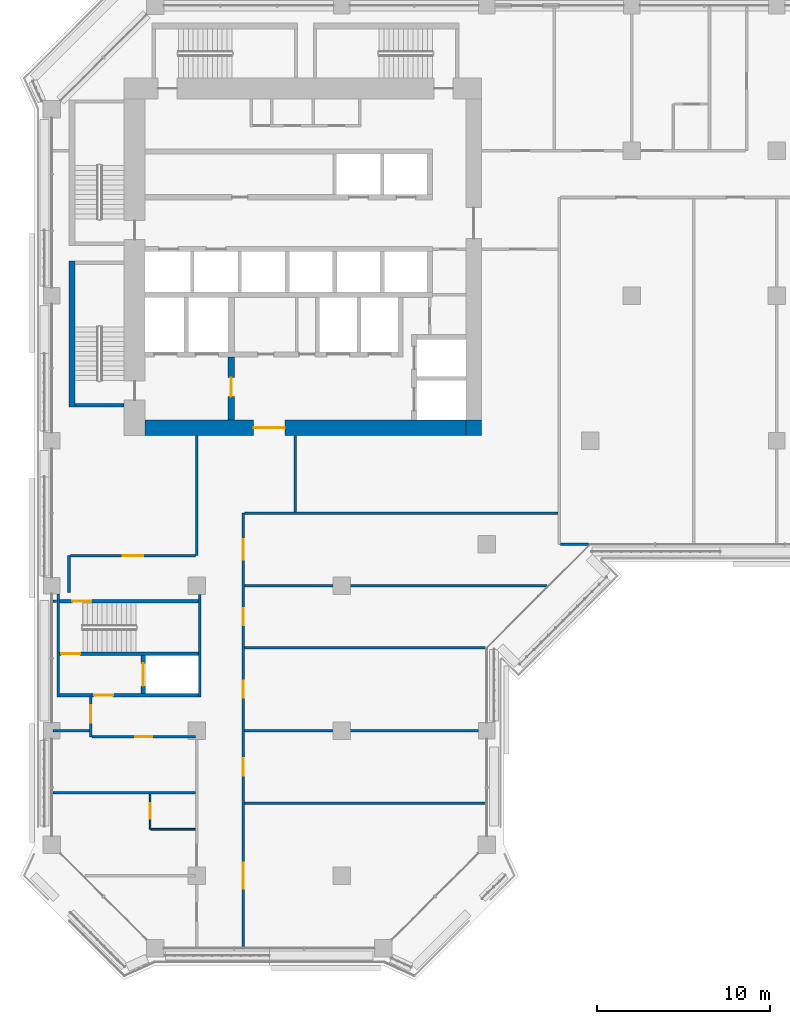
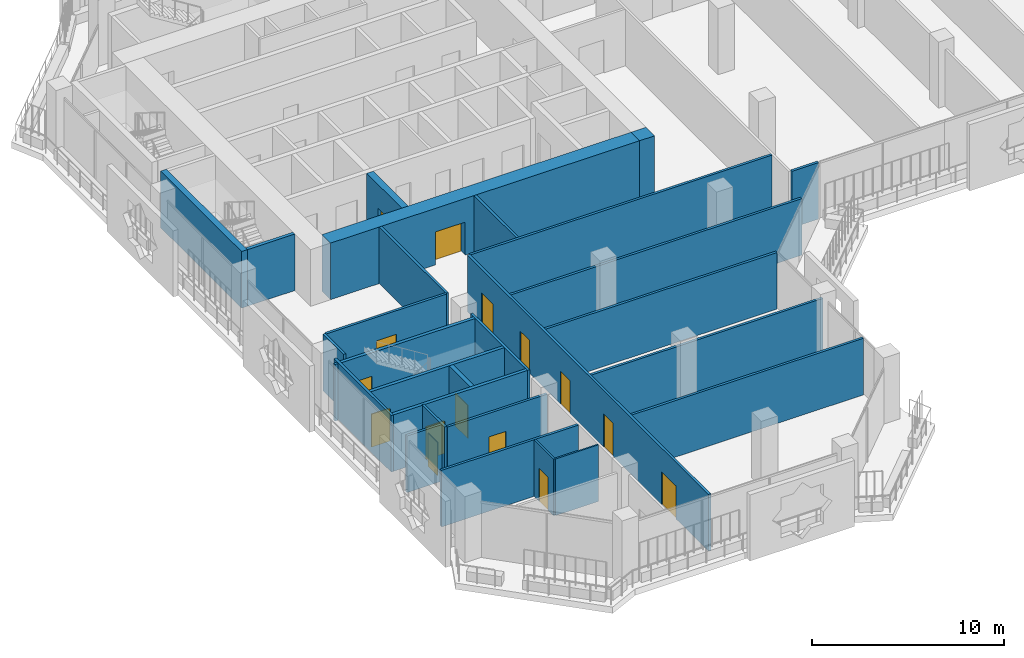
# One storey, part 10 of 22: 29 walls, 15 doors, 15 openings.
"""IFC4 building model written with IfcOpenShell, lengths in metres."""

from ifc_helpers import new_model, si_unit, direction, frame, frame_2d, origin, place, context, subcontext, project, spatial, rectangle, extrude, material, layer, layer_set, type_object, element, fill, save


model = new_model("IFC4")

# Units and contexts
model_context = context("Model", 3, precision=1e-05, world=origin(), true_north=direction((0.0, 1.0)))
body_context = subcontext(model_context, "Body", "Model", "MODEL_VIEW")
ifc_project = project(units=[si_unit("LENGTHUNIT", "METRE"), si_unit("AREAUNIT", "SQUARE_METRE"), si_unit("VOLUMEUNIT", "CUBIC_METRE"), si_unit("PLANEANGLEUNIT", "RADIAN"), si_unit("MASSUNIT", "GRAM", prefix="KILO")], contexts=[model_context])

# Site, building, storey
site_placement = place(None, origin())
site = spatial("IfcSite", under=ifc_project, at=site_placement, CompositionType="ELEMENT")
building_placement = place(site_placement, origin())
building = spatial("IfcBuilding", under=site, at=building_placement, Name="Kawkab Arch Medical Tower", CompositionType="ELEMENT")
storey_placement = place(building_placement, frame((0.0, 0.0, 179.39990234375)))
storey = spatial("IfcBuildingStorey", under=building, at=storey_placement, Name="L41", CompositionType="ELEMENT", Elevation=179.39990234375)

# Wall, opening, door
ifc_material_1 = material(Name="Concrete C55/67", Category="concrete")
ifc_layer_1 = layer(ifc_material_1, 0.89990234375)
ifc_layer_set_1 = layer_set([ifc_layer_1], Name="Concrete C55/67")
wall_type_1 = type_object("IfcWallType", Name="Core ring wall 900 C55/67", PredefinedType="SHEAR", material=ifc_layer_set_1)
wall_1_placement = place(storey_placement, frame((5.39990234375, -24.449951171875, 0.0), z_axis=(0.0, 0.0, 1.0), x_axis=(1.0, 0.0, 0.0)))
wall_1 = element("IfcWall", 1, at=wall_1_placement, inside=storey, type_object=wall_type_1, Name="L41 core wall", PredefinedType="SHEAR", context=body_context, shape_type="SweptSolid", body=[
    extrude(rectangle(XDim=18.60009765625, YDim=0.89990234375, at=frame_2d((9.300048828125, 0.0))), origin(), (0.0, 0.0, 1.0), 3.60009765625),
])
opening_1_placement = place(wall_1_placement, frame((6.300048828125, 0.0, 0.0)))
opening_1 = element("IfcOpeningElement", 2, at=opening_1_placement, cuts=wall_1, Name="Opening PD", PredefinedType="OPENING", context=body_context, shape_type="SweptSolid", body=[
    extrude(rectangle(XDim=1.800048828125, YDim=2.10009765625, at=frame_2d((0.89990234375, 1.050048828125))), frame((0.0, 0.4599609375, 0.0), z_axis=(0.0, -1.0, 0.0), x_axis=(1.0, 0.0, 0.0)), (0.0, 0.0, 1.0), 0.919921875),
])
ifc_material_2 = material(Name="Hollow metal fire door leaf")
door_type_1 = type_object("IfcDoorType", Name="Core entrance doors 1800", OperationType="DOUBLE_DOOR_SINGLE_SWING", PredefinedType="DOOR", material=ifc_material_2)
door_1_placement = place(opening_1_placement, origin())
door_1 = element("IfcDoor", 3, at=door_1_placement, inside=storey, type_object=door_type_1, Name="L41 South entrance doors", OperationType="DOUBLE_DOOR_SINGLE_SWING", OverallHeight=2.10009765625, OverallWidth=1.800048828125, PredefinedType="DOOR", context=body_context, shape_type="SweptSolid", body=[
    extrude(rectangle(XDim=1.800048828125, YDim=2.10009765625, at=frame_2d((0.89990234375, 1.050048828125))), frame((0.0, 0.02490234375, 0.0), z_axis=(0.0, -1.0, 0.0), x_axis=(1.0, 0.0, 0.0)), (0.0, 0.0, 1.0), 0.050048828125),
])
fill(opening_1, door_1)

# Wall
wall_2_placement = place(storey_placement, frame((24.449951171875, -24.89990234375, 0.0), z_axis=(0.0, 0.0, 1.0), x_axis=(0.0, 1.0, 0.0)))
element("IfcWall", 4, at=wall_2_placement, inside=storey, type_object=wall_type_1, Name="L41 core wall", PredefinedType="SHEAR", context=body_context, shape_type="SweptSolid", body=[
    extrude(rectangle(XDim=0.89990234375, YDim=0.89990234375, at=frame_2d((0.449951171875, 0.0))), origin(), (0.0, 0.0, 1.0), 3.60009765625),
])

# Wall, opening, door
ifc_material_3 = material(Name="Concrete C60/75", Category="concrete")
ifc_layer_2 = layer(ifc_material_3, 0.25)
ifc_layer_set_2 = layer_set([ifc_layer_2], Name="Concrete C60/75")
wall_type_2 = type_object("IfcWallType", Name="Core shear wall 250 C60/75", PredefinedType="SHEAR", material=ifc_layer_set_2)
wall_3_placement = place(storey_placement, frame((5.300048828125, -39.85009765625, 0.0), z_axis=(0.0, 0.0, 1.0), x_axis=(0.0, 1.0, 0.0)))
wall_3 = element("IfcWall", 5, at=wall_3_placement, inside=storey, type_object=wall_type_2, Name="L41 core shear wall", PredefinedType="SHEAR", context=body_context, shape_type="SweptSolid", body=[
    extrude(rectangle(XDim=2.2001953125, YDim=0.25, at=frame_2d((1.10009765625, 0.0))), origin(), (0.0, 0.0, 1.0), 3.60009765625),
])
opening_2_placement = place(wall_3_placement, frame((0.449951171875, 0.0, 0.0)))
opening_2 = element("IfcOpeningElement", 6, at=opening_2_placement, cuts=wall_3, Name="Opening LD2", PredefinedType="OPENING", context=body_context, shape_type="SweptSolid", body=[
    extrude(rectangle(XDim=1.300048828125, YDim=2.10009765625, at=frame_2d((0.64990234375, 1.050048828125))), frame((0.0, 0.135009765625, 0.0), z_axis=(0.0, -1.0, 0.0), x_axis=(1.0, 0.0, 0.0)), (0.0, 0.0, 1.0), 0.27001953125),
])
ifc_material_4 = material(Name="Stainless steel lift door leaf", Category="steel")
door_type_2 = type_object("IfcDoorType", Name="Lift landing door 1300", OperationType="DOUBLE_DOOR_SLIDING", PredefinedType="DOOR", material=ifc_material_4)
door_2_placement = place(opening_2_placement, origin())
door_2 = element("IfcDoor", 7, at=door_2_placement, inside=storey, type_object=door_type_2, Name="L41 Lift landing door SV2", OperationType="DOUBLE_DOOR_SLIDING", OverallHeight=2.10009765625, OverallWidth=1.300048828125, PredefinedType="DOOR", context=body_context, shape_type="SweptSolid", body=[
    extrude(rectangle(XDim=1.300048828125, YDim=2.10009765625, at=frame_2d((0.64990234375, 1.050048828125))), frame((0.0, 0.02490234375, 0.0), z_axis=(0.0, -1.0, 0.0), x_axis=(1.0, 0.0, 0.0)), (0.0, 0.0, 1.0), 0.050048828125),
])
fill(opening_2, door_2)

ifc_material_5 = material(Name="Concrete C60/75", Category="concrete")
ifc_layer_3 = layer(ifc_material_5, 0.39990234375)
ifc_layer_set_3 = layer_set([ifc_layer_3], Name="Concrete C60/75")
wall_type_3 = type_object("IfcWallType", Name="Core shear wall 400 C60/75", PredefinedType="SHEAR", material=ifc_layer_set_3)
wall_4_placement = place(storey_placement, frame((10.39990234375, -24.0, 0.0), z_axis=(0.0, 0.0, 1.0), x_axis=(0.0, 1.0, 0.0)))
wall_4 = element("IfcWall", 8, at=wall_4_placement, inside=storey, type_object=wall_type_3, Name="L41 core shear wall", PredefinedType="SHEAR", context=body_context, shape_type="SweptSolid", body=[
    extrude(rectangle(XDim=3.64990234375, YDim=0.39990234375, at=frame_2d((1.824951171875, 0.0))), origin(), (0.0, 0.0, 1.0), 3.60009765625),
])
opening_3_placement = place(wall_4_placement, frame((1.35009765625, 0.0, 0.0)))
opening_3 = element("IfcOpeningElement", 9, at=opening_3_placement, cuts=wall_4, Name="Opening FD", PredefinedType="OPENING", context=body_context, shape_type="SweptSolid", body=[
    extrude(rectangle(XDim=1.10009765625, YDim=2.10009765625, at=frame_2d((0.550048828125, 1.050048828125))), frame((0.0, 0.2099609375, 0.0), z_axis=(0.0, -1.0, 0.0), x_axis=(1.0, 0.0, 0.0)), (0.0, 0.0, 1.0), 0.419921875),
])
ifc_material_6 = material(Name="Hollow metal fire door leaf")
door_type_3 = type_object("IfcDoorType", Name="Firefighting lobby door 1100", OperationType="SINGLE_SWING_LEFT", PredefinedType="DOOR", material=ifc_material_6)
door_3_placement = place(opening_3_placement, origin())
door_3 = element("IfcDoor", 10, at=door_3_placement, inside=storey, type_object=door_type_3, Name="L41 Firefighting lobby door", OperationType="SINGLE_SWING_LEFT", OverallHeight=2.10009765625, OverallWidth=1.10009765625, PredefinedType="DOOR", context=body_context, shape_type="SweptSolid", body=[
    extrude(rectangle(XDim=1.10009765625, YDim=2.10009765625, at=frame_2d((0.550048828125, 1.050048828125))), frame((0.0, 0.02490234375, 0.0), z_axis=(0.0, -1.0, 0.0), x_axis=(1.0, 0.0, 0.0)), (0.0, 0.0, 1.0), 0.050048828125),
])
fill(opening_3, door_3)

# Wall
ifc_material_7 = material(Name="Gypsum board partition on steel studs", Category="steel")
ifc_layer_4 = layer(ifc_material_7, 0.10009765625)
ifc_layer_set_4 = layer_set([ifc_layer_4], Name="Gypsum board partition on steel studs")
wall_type_4 = type_object("IfcWallType", Name="Partition 100", PredefinedType="PARTITIONING", material=ifc_layer_set_4)
wall_5_placement = place(storey_placement, frame((5.75, -47.699951171875, 0.0), z_axis=(0.0, 0.0, 1.0), x_axis=(1.0, 0.0, 0.0)))
element("IfcWall", 11, at=wall_5_placement, inside=storey, type_object=wall_type_4, Name="Partition 100 w001", PredefinedType="PARTITIONING", context=body_context, shape_type="SweptSolid", body=[
    extrude(rectangle(XDim=2.574951171875, YDim=0.10009765625, at=frame_2d((1.28759765625, 0.0))), origin(), (0.0, 0.0, 1.0), 3.60009765625),
])

# Wall, opening, door
wall_6_placement = place(storey_placement, frame((5.699951171875, -47.699951171875, 0.0), z_axis=(0.0, 0.0, 1.0), x_axis=(0.0, 1.0, 0.0)))
wall_6 = element("IfcWall", 12, at=wall_6_placement, inside=storey, type_object=wall_type_4, Name="Partition 100 w004", PredefinedType="PARTITIONING", context=body_context, shape_type="SweptSolid", body=[
    extrude(rectangle(XDim=2.02490234375, YDim=0.10009765625, at=frame_2d((1.012451171875, 0.0))), origin(), (0.0, 0.0, 1.0), 3.60009765625),
])
opening_4_placement = place(wall_6_placement, frame((0.60009765625, 0.0, 0.0)))
opening_4 = element("IfcOpeningElement", 13, at=opening_4_placement, cuts=wall_6, Name="Opening W41-006", PredefinedType="OPENING", context=body_context, shape_type="SweptSolid", body=[
    extrude(rectangle(XDim=0.89990234375, YDim=2.10009765625, at=frame_2d((0.449951171875, 1.050048828125))), frame((0.0, 0.06005859375, 0.0), z_axis=(0.0, -1.0, 0.0), x_axis=(1.0, 0.0, 0.0)), (0.0, 0.0, 1.0), 0.1201171875),
])
ifc_material_8 = material(Name="Timber door leaf", Category="wood")
door_type_4 = type_object("IfcDoorType", Name="Single door 900x2100", OperationType="NOTDEFINED", PredefinedType="DOOR", material=ifc_material_8)
door_4_placement = place(opening_4_placement, origin())
door_4 = element("IfcDoor", 14, at=door_4_placement, inside=storey, type_object=door_type_4, Name="Door W41-006", OperationType="SINGLE_SWING_LEFT", OverallHeight=2.10009765625, OverallWidth=0.89990234375, PredefinedType="DOOR", context=body_context, shape_type="SweptSolid", body=[
    extrude(rectangle(XDim=0.89990234375, YDim=2.10009765625, at=frame_2d((0.449951171875, 1.050048828125))), frame((0.0, 0.02490234375, 0.0), z_axis=(0.0, -1.0, 0.0), x_axis=(1.0, 0.0, 0.0)), (0.0, 0.0, 1.0), 0.050048828125),
])
fill(opening_4, door_4)

# Walls
ifc_material_9 = material(Name="Gypsum board partition on steel studs, mineral wool", Category="steel")
ifc_layer_5 = layer(ifc_material_9, 0.14990234375)
ifc_layer_set_5 = layer_set([ifc_layer_5], Name="Gypsum board partition on steel studs, mineral wool")
wall_type_5 = type_object("IfcWallType", Name="Partition 150", PredefinedType="PARTITIONING", material=ifc_layer_set_5)
wall_7_placement = place(storey_placement, frame((11.175048828125, -46.199951171875, 0.0), z_axis=(0.0, 0.0, 1.0), x_axis=(1.0, 0.0, 0.0)))
element("IfcWall", 15, at=wall_7_placement, inside=storey, type_object=wall_type_5, Name="Partition 150 w008", PredefinedType="PARTITIONING", context=body_context, shape_type="SweptSolid", body=[
    extrude(rectangle(XDim=13.945068359375, YDim=0.14990234375, at=frame_2d((6.97265625, 0.0))), origin(), (0.0, 0.0, 1.0), 3.60009765625),
])
wall_8_placement = place(storey_placement, frame((0.080078125, -45.60009765625, 0.0), z_axis=(0.0, 0.0, 1.0), x_axis=(1.0, 0.0, 0.0)))
element("IfcWall", 16, at=wall_8_placement, inside=storey, type_object=wall_type_5, Name="Partition 150 w009", PredefinedType="PARTITIONING", context=body_context, shape_type="SweptSolid", body=[
    extrude(rectangle(XDim=8.244873046875, YDim=0.14990234375, at=frame_2d((4.12255859375, 0.0))), origin(), (0.0, 0.0, 1.0), 3.60009765625),
])

# Wall, opening, door
wall_9_placement = place(storey_placement, frame((2.326904296875, -42.35009765625, 0.0), z_axis=(0.0, 0.0, 1.0), x_axis=(1.0, 0.0, 0.0)))
wall_9 = element("IfcWall", 17, at=wall_9_placement, inside=storey, type_object=wall_type_5, Name="Partition 150 w010", PredefinedType="PARTITIONING", context=body_context, shape_type="SweptSolid", body=[
    extrude(rectangle(XDim=5.998046875, YDim=0.14990234375, at=frame_2d((2.9990234375, 0.0))), origin(), (0.0, 0.0, 1.0), 3.60009765625),
])
opening_5_placement = place(wall_9_placement, frame((2.4990234375, 0.0, 0.0)))
opening_5 = element("IfcOpeningElement", 18, at=opening_5_placement, cuts=wall_9, Name="Opening W41-018", PredefinedType="OPENING", context=body_context, shape_type="SweptSolid", body=[
    extrude(rectangle(XDim=1.0, YDim=2.10009765625, at=frame_2d((0.5, 1.050048828125))), frame((0.0, 0.0849609375, 0.0), z_axis=(0.0, -1.0, 0.0), x_axis=(1.0, 0.0, 0.0)), (0.0, 0.0, 1.0), 0.169921875),
])
ifc_material_10 = material(Name="Hollow metal door leaf")
door_type_5 = type_object("IfcDoorType", Name="Single door 1000x2100 FD30S", OperationType="NOTDEFINED", PredefinedType="DOOR", material=ifc_material_10)
door_5_placement = place(opening_5_placement, origin())
door_5 = element("IfcDoor", 19, at=door_5_placement, inside=storey, type_object=door_type_5, Name="Door W41-018", OperationType="SINGLE_SWING_RIGHT", OverallHeight=2.10009765625, OverallWidth=1.0, PredefinedType="DOOR", context=body_context, shape_type="SweptSolid", body=[
    extrude(rectangle(XDim=1.0, YDim=2.10009765625, at=frame_2d((0.5, 1.050048828125))), frame((0.0, 0.02490234375, 0.0), z_axis=(0.0, -1.0, 0.0), x_axis=(1.0, 0.0, 0.0)), (0.0, 0.0, 1.0), 0.050048828125),
])
fill(opening_5, door_5)

# Walls
wall_10_placement = place(storey_placement, frame((0.080078125, -42.0, 0.0), z_axis=(0.0, 0.0, 1.0), x_axis=(1.0, 0.0, 0.0)))
element("IfcWall", 20, at=wall_10_placement, inside=storey, type_object=wall_type_5, Name="Partition 150 w011", PredefinedType="PARTITIONING", context=body_context, shape_type="SweptSolid", body=[
    extrude(rectangle(XDim=2.094970703125, YDim=0.14990234375, at=frame_2d((1.04736328125, 0.0))), origin(), (0.0, 0.0, 1.0), 3.60009765625),
])
for number, where, z_axis, x_axis, name in (
    (21, (11.175048828125, -42.0, 0.0), (0.0, 0.0, 1.0), (1.0, 0.0, 0.0), "Partition 150 w012"),
    (22, (11.175048828125, -37.199951171875, 0.0), (0.0, 0.0, 1.0), (1.0, 0.0, 0.0), "Partition 150 w013"),
):
    element("IfcWall", number, at=place(storey_placement, frame(where, z_axis=z_axis, x_axis=x_axis)), inside=storey, type_object=wall_type_5, Name=name, PredefinedType="PARTITIONING", context=body_context, shape_type="SweptSolid", body=[
        extrude(rectangle(XDim=13.945068359375, YDim=0.14990234375, at=frame_2d((6.97265625, 0.0))), origin(), (0.0, 0.0, 1.0), 3.60009765625),
    ])
wall_11_placement = place(storey_placement, frame((0.080078125, -34.5, 0.0), z_axis=(0.0, 0.0, 1.0), x_axis=(1.0, 0.0, 0.0)))
element("IfcWall", 23, at=wall_11_placement, inside=storey, type_object=wall_type_5, Name="Partition 150 w014", PredefinedType="PARTITIONING", context=body_context, shape_type="SweptSolid", body=[
    extrude(rectangle(XDim=0.18994140625, YDim=0.14990234375, at=frame_2d((0.094970703125, 0.0))), origin(), (0.0, 0.0, 1.0), 3.60009765625),
])
wall_12_placement = place(storey_placement, frame((11.175048828125, -33.60009765625, 0.0), z_axis=(0.0, 0.0, 1.0), x_axis=(1.0, 0.0, 0.0)))
element("IfcWall", 24, at=wall_12_placement, inside=storey, type_object=wall_type_5, Name="Partition 150 w015", PredefinedType="PARTITIONING", context=body_context, shape_type="SweptSolid", body=[
    extrude(rectangle(XDim=17.511962890625, YDim=0.14990234375, at=frame_2d((8.755859375, 0.0))), origin(), (0.0, 0.0, 1.0), 3.60009765625),
])

# Wall, opening, door
wall_13_placement = place(storey_placement, frame((1.076904296875, -31.85693359375, 0.0), z_axis=(0.0, 0.0, 1.0), x_axis=(1.0, 0.0, 0.0)))
wall_13 = element("IfcWall", 25, at=wall_13_placement, inside=storey, type_object=wall_type_5, Name="Partition 150 w016", PredefinedType="PARTITIONING", context=body_context, shape_type="SweptSolid", body=[
    extrude(rectangle(XDim=7.248046875, YDim=0.14990234375, at=frame_2d((3.6240234375, 0.0))), origin(), (0.0, 0.0, 1.0), 3.60009765625),
])
opening_6_placement = place(wall_13_placement, frame((3.02392578125, 0.0, 0.0)))
opening_6 = element("IfcOpeningElement", 26, at=opening_6_placement, cuts=wall_13, Name="Opening W41-028", PredefinedType="OPENING", context=body_context, shape_type="SweptSolid", body=[
    extrude(rectangle(XDim=1.199951171875, YDim=2.10009765625, at=frame_2d((0.60009765625, 1.050048828125))), frame((0.0, 0.0849609375, 0.0), z_axis=(0.0, -1.0, 0.0), x_axis=(1.0, 0.0, 0.0)), (0.0, 0.0, 1.0), 0.169921875),
])
ifc_material_11 = material(Name="Hollow metal door leaf")
door_type_6 = type_object("IfcDoorType", Name="Single door 1200x2100 FD30S", OperationType="NOTDEFINED", PredefinedType="DOOR", material=ifc_material_11)
door_6_placement = place(opening_6_placement, origin())
door_6 = element("IfcDoor", 27, at=door_6_placement, inside=storey, type_object=door_type_6, Name="Door W41-028", OperationType="SINGLE_SWING_LEFT", OverallHeight=2.10009765625, OverallWidth=1.199951171875, PredefinedType="DOOR", context=body_context, shape_type="SweptSolid", body=[
    extrude(rectangle(XDim=1.199951171875, YDim=2.10009765625, at=frame_2d((0.60009765625, 1.050048828125))), frame((0.0, 0.02490234375, 0.0), z_axis=(0.0, -1.0, 0.0), x_axis=(1.0, 0.0, 0.0)), (0.0, 0.0, 1.0), 0.050048828125),
])
fill(opening_6, door_6)

# Walls
wall_14_placement = place(storey_placement, frame((29.47705078125, -31.199951171875, 0.0), z_axis=(0.0, 0.0, 1.0), x_axis=(1.0, 0.0, 0.0)))
element("IfcWall", 28, at=wall_14_placement, inside=storey, type_object=wall_type_5, Name="Partition 150 w017", PredefinedType="PARTITIONING", context=body_context, shape_type="SweptSolid", body=[
    extrude(rectangle(XDim=1.60986328125, YDim=0.14990234375, at=frame_2d((0.804931640625, 0.0))), origin(), (0.0, 0.0, 1.0), 3.60009765625),
])
wall_15_placement = place(storey_placement, frame((11.175048828125, -29.39990234375, 0.0), z_axis=(0.0, 0.0, 1.0), x_axis=(1.0, 0.0, 0.0)))
element("IfcWall", 29, at=wall_15_placement, inside=storey, type_object=wall_type_5, Name="Partition 150 w018", PredefinedType="PARTITIONING", context=body_context, shape_type="SweptSolid", body=[
    extrude(rectangle(XDim=18.14990234375, YDim=0.14990234375, at=frame_2d((9.074951171875, 0.0))), origin(), (0.0, 0.0, 1.0), 3.60009765625),
])
wall_16_placement = place(storey_placement, frame((1.0, -33.9970703125, 0.0), z_axis=(0.0, 0.0, 1.0), x_axis=(0.0, 1.0, 0.0)))
element("IfcWall", 30, at=wall_16_placement, inside=storey, type_object=wall_type_5, Name="Partition 150 w025", PredefinedType="PARTITIONING", context=body_context, shape_type="SweptSolid", body=[
    extrude(rectangle(XDim=2.135986328125, YDim=0.14990234375, at=frame_2d((1.06787109375, 0.0))), origin(), (0.0, 0.0, 1.0), 3.60009765625),
])

# Wall, opening, door
wall_17_placement = place(storey_placement, frame((2.25, -42.347900390625, 0.0), z_axis=(0.0, 0.0, 1.0), x_axis=(0.0, 1.0, 0.0)))
wall_17 = element("IfcWall", 31, at=wall_17_placement, inside=storey, type_object=wall_type_5, Name="Partition 150 w026", PredefinedType="PARTITIONING", context=body_context, shape_type="SweptSolid", body=[
    extrude(rectangle(XDim=2.347900390625, YDim=0.14990234375, at=frame_2d((1.173828125, 0.0))), origin(), (0.0, 0.0, 1.0), 3.60009765625),
])
opening_7_placement = place(wall_17_placement, frame((0.822998046875, 0.0, 0.0)))
opening_7 = element("IfcOpeningElement", 32, at=opening_7_placement, cuts=wall_17, Name="Opening W41-017", PredefinedType="OPENING", context=body_context, shape_type="SweptSolid", body=[
    extrude(rectangle(XDim=1.0, YDim=2.10009765625, at=frame_2d((0.5, 1.050048828125))), frame((0.0, 0.0849609375, 0.0), z_axis=(0.0, -1.0, 0.0), x_axis=(1.0, 0.0, 0.0)), (0.0, 0.0, 1.0), 0.169921875),
])
door_7_placement = place(opening_7_placement, origin())
door_7 = element("IfcDoor", 33, at=door_7_placement, inside=storey, type_object=door_type_5, Name="Door W41-017", OperationType="SINGLE_SWING_RIGHT", OverallHeight=2.10009765625, OverallWidth=1.0, PredefinedType="DOOR", context=body_context, shape_type="SweptSolid", body=[
    extrude(rectangle(XDim=1.0, YDim=2.10009765625, at=frame_2d((0.5, 1.050048828125))), frame((0.0, 0.02490234375, 0.0), z_axis=(0.0, -1.0, 0.0), x_axis=(1.0, 0.0, 0.0)), (0.0, 0.0, 1.0), 0.050048828125),
])
fill(opening_7, door_7)

# Wall
wall_18_placement = place(storey_placement, frame((8.39990234375, -31.85693359375, 0.0), z_axis=(0.0, 0.0, 1.0), x_axis=(0.0, 1.0, 0.0)))
element("IfcWall", 34, at=wall_18_placement, inside=storey, type_object=wall_type_5, Name="Partition 150 w028", PredefinedType="PARTITIONING", context=body_context, shape_type="SweptSolid", body=[
    extrude(rectangle(XDim=6.95703125, YDim=0.14990234375, at=frame_2d((3.478515625, 0.0))), origin(), (0.0, 0.0, 1.0), 3.60009765625),
])

# Wall, openings, doors
wall_19_placement = place(storey_placement, frame((11.10009765625, -54.52001953125, 0.0), z_axis=(0.0, 0.0, 1.0), x_axis=(0.0, 1.0, 0.0)))
wall_19 = element("IfcWall", 35, at=wall_19_placement, inside=storey, type_object=wall_type_5, Name="Partition 150 w029", PredefinedType="PARTITIONING", context=body_context, shape_type="SweptSolid", body=[
    extrude(rectangle(XDim=25.1201171875, YDim=0.14990234375, at=frame_2d((12.56005859375, 0.0))), origin(), (0.0, 0.0, 1.0), 3.60009765625),
])
opening_8_placement = place(wall_19_placement, frame((22.419921875, 0.0, 0.0)))
opening_8 = element("IfcOpeningElement", 36, at=opening_8_placement, cuts=wall_19, Name="Opening W41-030", PredefinedType="OPENING", context=body_context, shape_type="SweptSolid", body=[
    extrude(rectangle(XDim=1.199951171875, YDim=2.10009765625, at=frame_2d((0.60009765625, 1.050048828125))), frame((0.0, 0.0849609375, 0.0), z_axis=(0.0, -1.0, 0.0), x_axis=(1.0, 0.0, 0.0)), (0.0, 0.0, 1.0), 0.169921875),
])
opening_9_placement = place(wall_19_placement, frame((18.6201171875, 0.0, 0.0)))
opening_9 = element("IfcOpeningElement", 37, at=opening_9_placement, cuts=wall_19, Name="Opening W41-020", PredefinedType="OPENING", context=body_context, shape_type="SweptSolid", body=[
    extrude(rectangle(XDim=1.0, YDim=2.10009765625, at=frame_2d((0.5, 1.050048828125))), frame((0.0, 0.0849609375, 0.0), z_axis=(0.0, -1.0, 0.0), x_axis=(1.0, 0.0, 0.0)), (0.0, 0.0, 1.0), 0.169921875),
])
opening_10_placement = place(wall_19_placement, frame((14.419921875, 0.0, 0.0)))
opening_10 = element("IfcOpeningElement", 38, at=opening_10_placement, cuts=wall_19, Name="Opening W41-021", PredefinedType="OPENING", context=body_context, shape_type="SweptSolid", body=[
    extrude(rectangle(XDim=1.0, YDim=2.10009765625, at=frame_2d((0.5, 1.050048828125))), frame((0.0, 0.0849609375, 0.0), z_axis=(0.0, -1.0, 0.0), x_axis=(1.0, 0.0, 0.0)), (0.0, 0.0, 1.0), 0.169921875),
])
opening_11_placement = place(wall_19_placement, frame((9.919921875, 0.0, 0.0)))
opening_11 = element("IfcOpeningElement", 39, at=opening_11_placement, cuts=wall_19, Name="Opening W41-022", PredefinedType="OPENING", context=body_context, shape_type="SweptSolid", body=[
    extrude(rectangle(XDim=1.0, YDim=2.10009765625, at=frame_2d((0.5, 1.050048828125))), frame((0.0, 0.0849609375, 0.0), z_axis=(0.0, -1.0, 0.0), x_axis=(1.0, 0.0, 0.0)), (0.0, 0.0, 1.0), 0.169921875),
])
opening_12_placement = place(wall_19_placement, frame((3.3701171875, 0.0, 0.0)))
opening_12 = element("IfcOpeningElement", 40, at=opening_12_placement, cuts=wall_19, Name="Opening W41-003", PredefinedType="OPENING", context=body_context, shape_type="SweptSolid", body=[
    extrude(rectangle(XDim=1.5, YDim=2.10009765625, at=frame_2d((0.75, 1.050048828125))), frame((0.0, 0.0849609375, 0.0), z_axis=(0.0, -1.0, 0.0), x_axis=(1.0, 0.0, 0.0)), (0.0, 0.0, 1.0), 0.169921875),
])
ifc_material_12 = material(Name="Hollow metal door leaf")
door_type_7 = type_object("IfcDoorType", Name="Double door 1500x2100 FD30S", OperationType="NOTDEFINED", PredefinedType="DOOR", material=ifc_material_12)
door_8_placement = place(opening_12_placement, origin())
door_8 = element("IfcDoor", 41, at=door_8_placement, inside=storey, type_object=door_type_7, Name="Door W41-003", OperationType="DOUBLE_DOOR_SINGLE_SWING", OverallHeight=2.10009765625, OverallWidth=1.5, PredefinedType="DOOR", context=body_context, shape_type="SweptSolid", body=[
    extrude(rectangle(XDim=1.5, YDim=2.10009765625, at=frame_2d((0.75, 1.050048828125))), frame((0.0, 0.02490234375, 0.0), z_axis=(0.0, -1.0, 0.0), x_axis=(1.0, 0.0, 0.0)), (0.0, 0.0, 1.0), 0.050048828125),
])
fill(opening_12, door_8)
door_9_placement = place(opening_9_placement, origin())
door_9 = element("IfcDoor", 42, at=door_9_placement, inside=storey, type_object=door_type_5, Name="Door W41-020", OperationType="SINGLE_SWING_LEFT", OverallHeight=2.10009765625, OverallWidth=1.0, PredefinedType="DOOR", context=body_context, shape_type="SweptSolid", body=[
    extrude(rectangle(XDim=1.0, YDim=2.10009765625, at=frame_2d((0.5, 1.050048828125))), frame((0.0, 0.02490234375, 0.0), z_axis=(0.0, -1.0, 0.0), x_axis=(1.0, 0.0, 0.0)), (0.0, 0.0, 1.0), 0.050048828125),
])
fill(opening_9, door_9)
door_10_placement = place(opening_10_placement, origin())
door_10 = element("IfcDoor", 43, at=door_10_placement, inside=storey, type_object=door_type_5, Name="Door W41-021", OperationType="SINGLE_SWING_LEFT", OverallHeight=2.10009765625, OverallWidth=1.0, PredefinedType="DOOR", context=body_context, shape_type="SweptSolid", body=[
    extrude(rectangle(XDim=1.0, YDim=2.10009765625, at=frame_2d((0.5, 1.050048828125))), frame((0.0, 0.02490234375, 0.0), z_axis=(0.0, -1.0, 0.0), x_axis=(1.0, 0.0, 0.0)), (0.0, 0.0, 1.0), 0.050048828125),
])
fill(opening_10, door_10)
door_11_placement = place(opening_11_placement, origin())
door_11 = element("IfcDoor", 44, at=door_11_placement, inside=storey, type_object=door_type_5, Name="Door W41-022", OperationType="SINGLE_SWING_RIGHT", OverallHeight=2.10009765625, OverallWidth=1.0, PredefinedType="DOOR", context=body_context, shape_type="SweptSolid", body=[
    extrude(rectangle(XDim=1.0, YDim=2.10009765625, at=frame_2d((0.5, 1.050048828125))), frame((0.0, 0.02490234375, 0.0), z_axis=(0.0, -1.0, 0.0), x_axis=(1.0, 0.0, 0.0)), (0.0, 0.0, 1.0), 0.050048828125),
])
fill(opening_11, door_11)
door_12_placement = place(opening_8_placement, origin())
door_12 = element("IfcDoor", 45, at=door_12_placement, inside=storey, type_object=door_type_6, Name="Door W41-030", OperationType="SINGLE_SWING_LEFT", OverallHeight=2.10009765625, OverallWidth=1.199951171875, PredefinedType="DOOR", context=body_context, shape_type="SweptSolid", body=[
    extrude(rectangle(XDim=1.199951171875, YDim=2.10009765625, at=frame_2d((0.60009765625, 1.050048828125))), frame((0.0, 0.02490234375, 0.0), z_axis=(0.0, -1.0, 0.0), x_axis=(1.0, 0.0, 0.0)), (0.0, 0.0, 1.0), 0.050048828125),
])
fill(opening_8, door_12)

# Walls
wall_20_placement = place(storey_placement, frame((14.10009765625, -29.324951171875, 0.0), z_axis=(0.0, 0.0, 1.0), x_axis=(0.0, 1.0, 0.0)))
element("IfcWall", 46, at=wall_20_placement, inside=storey, type_object=wall_type_5, Name="Partition 150 w030", PredefinedType="PARTITIONING", context=body_context, shape_type="SweptSolid", body=[
    extrude(rectangle(XDim=4.425048828125, YDim=0.14990234375, at=frame_2d((2.21240234375, 0.0))), origin(), (0.0, 0.0, 1.0), 3.60009765625),
])
ifc_material_13 = material(Name="Concrete C50/60", Category="concrete")
ifc_layer_6 = layer(ifc_material_13, 0.14990234375)
ifc_layer_set_6 = layer_set([ifc_layer_6], Name="Concrete C50/60")
wall_type_6 = type_object("IfcWallType", Name="Stair enclosure wall 150 C50/60", PredefinedType="SHEAR", material=ifc_layer_set_6)
wall_21_placement = place(storey_placement, frame((0.375, -40.050048828125, 0.0), z_axis=(0.0, 0.0, 1.0), x_axis=(0.0, 1.0, 0.0)))
element("IfcWall", 47, at=wall_21_placement, inside=storey, type_object=wall_type_6, Name="L41 stair enclosure wall", PredefinedType="SHEAR", context=body_context, shape_type="SweptSolid", body=[
    extrude(rectangle(XDim=5.97509765625, YDim=0.14990234375, at=frame_2d((2.987548828125, 0.0))), origin(), (0.0, 0.0, 1.0), 3.60009765625),
])
wall_22_placement = place(storey_placement, frame((8.574951171875, -40.050048828125, 0.0), z_axis=(0.0, 0.0, 1.0), x_axis=(0.0, 1.0, 0.0)))
element("IfcWall", 48, at=wall_22_placement, inside=storey, type_object=wall_type_6, Name="L41 stair enclosure wall", PredefinedType="SHEAR", context=body_context, shape_type="SweptSolid", body=[
    extrude(rectangle(XDim=5.949951171875, YDim=0.14990234375, at=frame_2d((2.97509765625, 0.0))), origin(), (0.0, 0.0, 1.0), 3.60009765625),
])
ifc_material_14 = material(Name="Concrete C50/60", Category="concrete")
ifc_layer_7 = layer(ifc_material_14, 0.199951171875)
ifc_layer_set_7 = layer_set([ifc_layer_7], Name="Concrete C50/60")
wall_type_7 = type_object("IfcWallType", Name="Stair enclosure wall 200 C50/60", PredefinedType="SHEAR", material=ifc_layer_set_7)
wall_23_placement = place(storey_placement, frame((1.35009765625, -23.14990234375, 0.0), z_axis=(0.0, 0.0, 1.0), x_axis=(1.0, 0.0, 0.0)))
element("IfcWall", 49, at=wall_23_placement, inside=storey, type_object=wall_type_7, Name="L41 stair enclosure wall", PredefinedType="SHEAR", context=body_context, shape_type="SweptSolid", body=[
    extrude(rectangle(XDim=2.849853515625, YDim=0.199951171875, at=frame_2d((1.4248046875, 0.0))), origin(), (0.0, 0.0, 1.0), 3.60009765625),
])

# Wall, opening, door
wall_24_placement = place(storey_placement, frame((0.449951171875, -34.5, 0.0), z_axis=(0.0, 0.0, 1.0), x_axis=(1.0, 0.0, 0.0)))
wall_24 = element("IfcWall", 50, at=wall_24_placement, inside=storey, type_object=wall_type_7, Name="L41 stair enclosure wall", PredefinedType="SHEAR", context=body_context, shape_type="SweptSolid", body=[
    extrude(rectangle(XDim=8.050048828125, YDim=0.199951171875, at=frame_2d((4.02490234375, 0.0))), origin(), (0.0, 0.0, 1.0), 3.60009765625),
])
opening_13_placement = place(wall_24_placement, frame((0.75, 0.0, 0.0)))
opening_13 = element("IfcOpeningElement", 51, at=opening_13_placement, cuts=wall_24, Name="Opening SD", PredefinedType="OPENING", context=body_context, shape_type="SweptSolid", body=[
    extrude(rectangle(XDim=1.10009765625, YDim=2.10009765625, at=frame_2d((0.550048828125, 1.050048828125))), frame((0.0, 0.10986328125, 0.0), z_axis=(0.0, -1.0, 0.0), x_axis=(1.0, 0.0, 0.0)), (0.0, 0.0, 1.0), 0.219970703125),
])
ifc_material_15 = material(Name="Hollow metal fire door leaf")
door_type_8 = type_object("IfcDoorType", Name="Exit stair door 1100", OperationType="SINGLE_SWING_LEFT", PredefinedType="DOOR", material=ifc_material_15)
door_13_placement = place(opening_13_placement, origin())
door_13 = element("IfcDoor", 52, at=door_13_placement, inside=storey, type_object=door_type_8, Name="L41 Exit stair ST6 door", OperationType="SINGLE_SWING_LEFT", OverallHeight=2.10009765625, OverallWidth=1.10009765625, PredefinedType="DOOR", context=body_context, shape_type="SweptSolid", body=[
    extrude(rectangle(XDim=1.10009765625, YDim=2.10009765625, at=frame_2d((0.550048828125, 1.050048828125))), frame((0.0, 0.02490234375, 0.0), z_axis=(0.0, -1.0, 0.0), x_axis=(1.0, 0.0, 0.0)), (0.0, 0.0, 1.0), 0.050048828125),
])
fill(opening_13, door_13)

wall_25_placement = place(storey_placement, frame((0.449951171875, -37.550048828125, 0.0), z_axis=(0.0, 0.0, 1.0), x_axis=(1.0, 0.0, 0.0)))
wall_25 = element("IfcWall", 53, at=wall_25_placement, inside=storey, type_object=wall_type_7, Name="L41 stair enclosure wall", PredefinedType="SHEAR", context=body_context, shape_type="SweptSolid", body=[
    extrude(rectangle(XDim=8.050048828125, YDim=0.199951171875, at=frame_2d((4.02490234375, 0.0))), origin(), (0.0, 0.0, 1.0), 3.60009765625),
])
opening_14_placement = place(wall_25_placement, frame((0.10009765625, 0.0, 0.0)))
opening_14 = element("IfcOpeningElement", 54, at=opening_14_placement, cuts=wall_25, Name="Opening SD", PredefinedType="OPENING", context=body_context, shape_type="SweptSolid", body=[
    extrude(rectangle(XDim=1.10009765625, YDim=2.10009765625, at=frame_2d((0.550048828125, 1.050048828125))), frame((0.0, 0.10986328125, 0.0), z_axis=(0.0, -1.0, 0.0), x_axis=(1.0, 0.0, 0.0)), (0.0, 0.0, 1.0), 0.219970703125),
])
door_14_placement = place(opening_14_placement, frame((1.10009765625, 0.0, 0.0), z_axis=(0.0, 0.0, 1.0), x_axis=(-1.0, 0.0, 0.0)))
door_14 = element("IfcDoor", 55, at=door_14_placement, inside=storey, type_object=door_type_8, Name="L41 Exit stair ST6 lobby door", OperationType="SINGLE_SWING_LEFT", OverallHeight=2.10009765625, OverallWidth=1.10009765625, PredefinedType="DOOR", context=body_context, shape_type="SweptSolid", body=[
    extrude(rectangle(XDim=1.10009765625, YDim=2.10009765625, at=frame_2d((0.550048828125, 1.050048828125))), frame((0.0, 0.02490234375, 0.0), z_axis=(0.0, -1.0, 0.0), x_axis=(1.0, 0.0, 0.0)), (0.0, 0.0, 1.0), 0.050048828125),
])
fill(opening_14, door_14)

wall_26_placement = place(storey_placement, frame((0.449951171875, -39.949951171875, 0.0), z_axis=(0.0, 0.0, 1.0), x_axis=(1.0, 0.0, 0.0)))
wall_26 = element("IfcWall", 56, at=wall_26_placement, inside=storey, type_object=wall_type_7, Name="L41 stair enclosure wall", PredefinedType="SHEAR", context=body_context, shape_type="SweptSolid", body=[
    extrude(rectangle(XDim=8.050048828125, YDim=0.199951171875, at=frame_2d((4.02490234375, 0.0))), origin(), (0.0, 0.0, 1.0), 3.60009765625),
])
opening_15_placement = place(wall_26_placement, frame((2.0, 0.0, 0.0)))
opening_15 = element("IfcOpeningElement", 57, at=opening_15_placement, cuts=wall_26, Name="Opening FD", PredefinedType="OPENING", context=body_context, shape_type="SweptSolid", body=[
    extrude(rectangle(XDim=1.10009765625, YDim=2.10009765625, at=frame_2d((0.550048828125, 1.050048828125))), frame((0.0, 0.10986328125, 0.0), z_axis=(0.0, -1.0, 0.0), x_axis=(1.0, 0.0, 0.0)), (0.0, 0.0, 1.0), 0.219970703125),
])
door_15_placement = place(opening_15_placement, origin())
door_15 = element("IfcDoor", 58, at=door_15_placement, inside=storey, type_object=door_type_3, Name="L41 Service lift lobby door SV2", OperationType="SINGLE_SWING_LEFT", OverallHeight=2.10009765625, OverallWidth=1.10009765625, PredefinedType="DOOR", context=body_context, shape_type="SweptSolid", body=[
    extrude(rectangle(XDim=1.10009765625, YDim=2.10009765625, at=frame_2d((0.550048828125, 1.050048828125))), frame((0.0, 0.02490234375, 0.0), z_axis=(0.0, -1.0, 0.0), x_axis=(1.0, 0.0, 0.0)), (0.0, 0.0, 1.0), 0.050048828125),
])
fill(opening_15, door_15)

# Wall
ifc_material_16 = material(Name="Concrete C50/60", Category="concrete")
ifc_layer_8 = layer(ifc_material_16, 0.35009765625)
ifc_layer_set_8 = layer_set([ifc_layer_8], Name="Concrete C50/60")
wall_type_8 = type_object("IfcWallType", Name="Stair enclosure wall 350 C50/60", PredefinedType="SHEAR", material=ifc_layer_set_8)
wall_27_placement = place(storey_placement, frame((1.175048828125, -23.25, 0.0), z_axis=(0.0, 0.0, 1.0), x_axis=(0.0, 1.0, 0.0)))
element("IfcWall", 59, at=wall_27_placement, inside=storey, type_object=wall_type_8, Name="L41 stair enclosure wall", PredefinedType="SHEAR", context=body_context, shape_type="SweptSolid", body=[
    extrude(rectangle(XDim=8.449951171875, YDim=0.35009765625, at=frame_2d((4.22509765625, 0.0))), origin(), (0.0, 0.0, 1.0), 3.60009765625),
])

save(model, "model.ifc")
